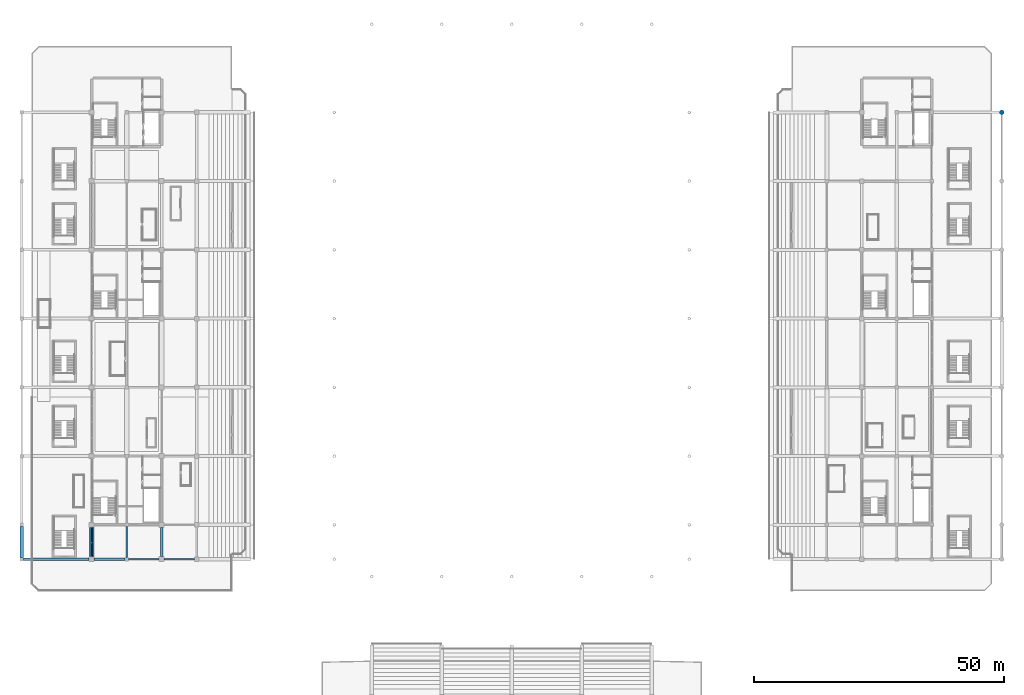
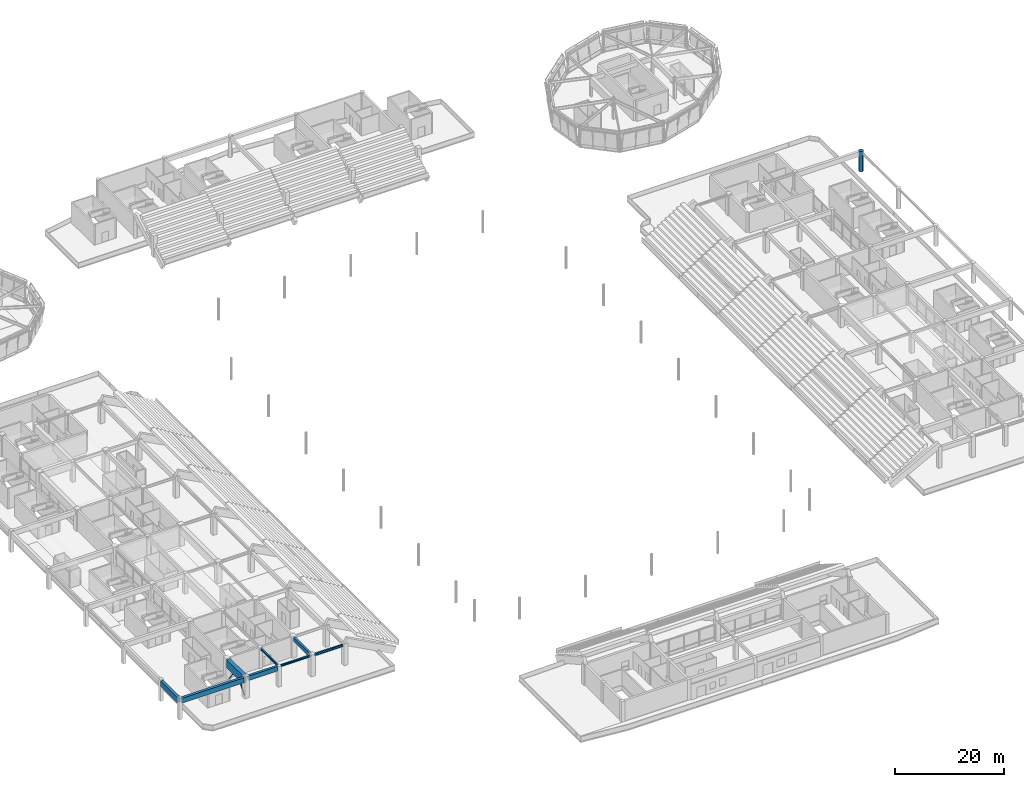
# One storey, part 15 of 94: 8 beams, 2 members, 1 column.
"""IFC4 building model written with IfcOpenShell, lengths in metres."""

from ifc_helpers import new_model, si_unit, direction, frame, origin, origin_2d, place, context, subcontext, project, spatial, rectangle, circle, hollow_circle, i_section, extrude, material, material_profile, profile_set, type_object, element, save


model = new_model("IFC4")

# Units and contexts
model_context = context("Model", 3, precision=1e-05, world=origin(), true_north=direction((0.0, 1.0)))
body_context = subcontext(model_context, "Body", "Model", "MODEL_VIEW")
ifc_project = project(units=[si_unit("LENGTHUNIT", "METRE"), si_unit("AREAUNIT", "SQUARE_METRE"), si_unit("VOLUMEUNIT", "CUBIC_METRE"), si_unit("PLANEANGLEUNIT", "RADIAN"), si_unit("MASSUNIT", "GRAM", prefix="KILO")], contexts=[model_context])

# Site, building, storey
site_placement = place(None, origin())
site = spatial("IfcSite", under=ifc_project, at=site_placement, CompositionType="ELEMENT")
building_placement = place(site_placement, origin())
building = spatial("IfcBuilding", under=site, at=building_placement, Name="Linyun Crest Stadium", CompositionType="ELEMENT")
storey_placement = place(building_placement, frame((0.0, 0.0, 16.199951171875)))
storey = spatial("IfcBuildingStorey", under=building, at=storey_placement, Name="L04", CompositionType="ELEMENT", Elevation=16.199951171875)

# Column
ifc_material_1 = material(Name="Concrete C50", Category="concrete")
ifc_material_profile_1 = material_profile(ifc_material_1, circle(Radius=0.449951171875, at=origin_2d()), Name="RC D900")
ifc_profile_set_1 = profile_set([ifc_material_profile_1], Name="Concrete C50")
column_type = type_object("IfcColumnType", Name="C08", PredefinedType="COLUMN", material=ifc_profile_set_1)
column_placement = place(storey_placement, frame((98.0, 43.375, 0.0), z_axis=(0.0, 0.0, 1.0), x_axis=(1.0, 0.0, 0.0)))
element("IfcColumn", 1, at=column_placement, inside=storey, type_object=column_type, Name="Column C08 L04 568", PredefinedType="COLUMN", context=body_context, shape_type="SweptSolid", body=[
    extrude(circle(Radius=0.449951171875, at=origin_2d()), origin(), (0.0, 0.0, 1.0), 4.56005859375),
])

# Beams
ifc_material_2 = material(Name="Concrete C40", Category="concrete")
ifc_material_profile_2 = material_profile(ifc_material_2, rectangle(XDim=0.449951171875, YDim=0.85009765625, at=origin_2d()), Name="RCB 850x450")
ifc_profile_set_2 = profile_set([ifc_material_profile_2], Name="Concrete C40")
beam_type_1 = type_object("IfcBeamType", Name="B04", PredefinedType="BEAM", material=ifc_profile_set_2)
beam_1_placement = place(storey_placement, frame((-70.0, -45.5, 4.175048828125), z_axis=(0.0, 1.0, 0.0), x_axis=(-1.0, 0.0, 0.0)))
element("IfcBeam", 2, at=beam_1_placement, inside=storey, type_object=beam_type_1, Name="Frame beam B04 L04 338", PredefinedType="BEAM", context=body_context, shape_type="SweptSolid", body=[
    extrude(rectangle(XDim=0.449951171875, YDim=0.85009765625, at=origin_2d()), origin(), (0.0, 0.0, 1.0), 5.875),
])
ifc_material_3 = material(Name="Concrete C40", Category="concrete")
ifc_material_profile_3 = material_profile(ifc_material_3, rectangle(XDim=0.5, YDim=1.0, at=origin_2d()), Name="RCB 1000x500")
ifc_profile_set_3 = profile_set([ifc_material_profile_3], Name="Concrete C40")
beam_type_2 = type_object("IfcBeamType", Name="B05", PredefinedType="BEAM", material=ifc_profile_set_3)
beam_2_placement = place(storey_placement, frame((-83.5, -46.0, 4.10009765625), z_axis=(1.0, 0.0, 0.0), x_axis=(0.0, 1.0, 0.0)))
element("IfcBeam", 3, at=beam_2_placement, inside=storey, type_object=beam_type_2, Name="Frame beam B05 L04 300", PredefinedType="BEAM", context=body_context, shape_type="SweptSolid", body=[
    extrude(rectangle(XDim=0.5, YDim=1.0, at=origin_2d()), origin(), (0.0, 0.0, 1.0), 6.14990234375),
])
ifc_material_4 = material(Name="Steel Q355C", Category="steel")
ifc_material_profile_4 = material_profile(ifc_material_4, i_section(OverallWidth=0.300048828125, OverallDepth=0.389892578125, WebThickness=0.010009765625, FlangeThickness=0.01611328125, at=origin_2d()), Name="HM 390x300")
ifc_profile_set_4 = profile_set([ifc_material_profile_4], Name="Steel Q355C")
beam_type_3 = type_object("IfcBeamType", Name="B06", PredefinedType="BEAM", material=ifc_profile_set_4)
beam_3_placement = place(storey_placement, frame((-76.64990234375, -46.0, 4.405029296875), z_axis=(1.0, 0.0, 0.0), x_axis=(0.0, 1.0, 0.0)))
element("IfcBeam", 4, at=beam_3_placement, inside=storey, type_object=beam_type_3, Name="Frame beam B06 L04 301", PredefinedType="BEAM", context=body_context, shape_type="SweptSolid", body=[
    extrude(i_section(OverallWidth=0.300048828125, OverallDepth=0.389892578125, WebThickness=0.010009765625, FlangeThickness=0.01611328125, at=origin_2d()), origin(), (0.0, 0.0, 1.0), 6.14990234375),
])
ifc_material_5 = material(Name="Steel Q355C", Category="steel")
ifc_material_profile_5 = material_profile(ifc_material_5, i_section(OverallWidth=0.300048828125, OverallDepth=0.43994140625, WebThickness=0.010986328125, FlangeThickness=0.01806640625, at=origin_2d()), Name="HM 440x300")
ifc_profile_set_5 = profile_set([ifc_material_profile_5], Name="Steel Q355C")
beam_type_4 = type_object("IfcBeamType", Name="B07", PredefinedType="BEAM", material=ifc_profile_set_5)
beam_4_placement = place(storey_placement, frame((-77.0, -45.64990234375, 4.380126953125), z_axis=(0.0, 1.0, 0.0), x_axis=(-1.0, 0.0, 0.0)))
element("IfcBeam", 5, at=beam_4_placement, inside=storey, type_object=beam_type_4, Name="Frame beam B07 L04 331", PredefinedType="BEAM", context=body_context, shape_type="SweptSolid", body=[
    extrude(i_section(OverallWidth=0.300048828125, OverallDepth=0.43994140625, WebThickness=0.010986328125, FlangeThickness=0.01806640625, at=origin_2d()), origin(), (0.0, 0.0, 1.0), 6.1748046875),
])
ifc_material_6 = material(Name="Steel Q355C", Category="steel")
ifc_material_profile_6 = material_profile(ifc_material_6, i_section(OverallWidth=0.300048828125, OverallDepth=0.488037109375, WebThickness=0.010986328125, FlangeThickness=0.01806640625, at=origin_2d()), Name="HM 488x300")
ifc_profile_set_6 = profile_set([ifc_material_profile_6], Name="Steel Q355C")
beam_type_5 = type_object("IfcBeamType", Name="B08", PredefinedType="BEAM", material=ifc_profile_set_6)
beam_5_placement = place(storey_placement, frame((-69.5, -46.0, 4.35595703125), z_axis=(1.0, 0.0, 0.0), x_axis=(0.0, 1.0, 0.0)))
element("IfcBeam", 6, at=beam_5_placement, inside=storey, type_object=beam_type_5, Name="Frame beam B08 L04 302", PredefinedType="BEAM", context=body_context, shape_type="SweptSolid", body=[
    extrude(i_section(OverallWidth=0.300048828125, OverallDepth=0.488037109375, WebThickness=0.010986328125, FlangeThickness=0.01806640625, at=origin_2d()), origin(), (0.0, 0.0, 1.0), 6.050048828125),
])
ifc_material_7 = material(Name="Concrete C50", Category="concrete")
ifc_material_profile_7 = material_profile(ifc_material_7, rectangle(XDim=0.800048828125, YDim=1.800048828125, at=origin_2d()), Name="RCB 1800x800")
ifc_profile_set_7 = profile_set([ifc_material_profile_7], Name="Concrete C50")
beam_type_6 = type_object("IfcBeamType", Name="B14", PredefinedType="BEAM", material=ifc_profile_set_7)
beam_6_placement = place(storey_placement, frame((-84.0, -45.5, 3.699951171875), z_axis=(0.0, 1.0, 0.0), x_axis=(-1.0, 0.0, 0.0)))
element("IfcBeam", 7, at=beam_6_placement, inside=storey, type_object=beam_type_6, Name="Frame beam B14 L04 327", PredefinedType="BEAM", context=body_context, shape_type="SweptSolid", body=[
    extrude(rectangle(XDim=0.800048828125, YDim=1.800048828125, at=origin_2d()), origin(), (0.0, 0.0, 1.0), 5.875),
])

# Members
ifc_material_8 = material(Name="Steel Q355C", Category="steel")
ifc_material_profile_8 = material_profile(ifc_material_8, hollow_circle(Radius=0.083984375, WallThickness=0.010009765625, at=origin_2d()), Name="CHS 168x10")
ifc_profile_set_8 = profile_set([ifc_material_profile_8], Name="Steel Q355C")
member_type = type_object("IfcMemberType", Name="BR01", PredefinedType="BRACE", material=ifc_profile_set_8)
member_1_placement = place(storey_placement, frame((-84.0, -45.5, 0.0), z_axis=(0.0, 0.593946544559, 0.804504507263), x_axis=(-1.0, 0.0, 0.0)))
element("IfcMember", 8, at=member_1_placement, inside=storey, type_object=member_type, Name="Frame brace BR01 L04 7", PredefinedType="BRACE", context=body_context, shape_type="SweptSolid", body=[
    extrude(hollow_circle(Radius=0.083984375, WallThickness=0.010009765625, at=origin_2d()), origin(), (0.0, 0.0, 1.0), 4.7109375),
])
member_2_placement = place(storey_placement, frame((-84.0, -39.625, 0.0), z_axis=(0.0, -0.593812353986, 0.804603559682), x_axis=(1.0, 0.0, 0.0)))
element("IfcMember", 9, at=member_2_placement, inside=storey, type_object=member_type, Name="Frame brace BR01 L04 8", PredefinedType="BRACE", context=body_context, shape_type="SweptSolid", body=[
    extrude(hollow_circle(Radius=0.083984375, WallThickness=0.010009765625, at=origin_2d()), origin(), (0.0, 0.0, 1.0), 4.71044921875),
])

# Beams
ifc_material_9 = material(Name="Concrete C50", Category="concrete")
ifc_material_profile_9 = material_profile(ifc_material_9, rectangle(XDim=0.550048828125, YDim=1.10009765625, at=origin_2d()), Name="RCB 1100x550")
ifc_profile_set_9 = profile_set([ifc_material_profile_9], Name="Concrete C50")
beam_type_7 = type_object("IfcBeamType", Name="TB01", PredefinedType="USERDEFINED", material=ifc_profile_set_9)
beam_7_placement = place(storey_placement, frame((-97.64990234375, -46.0, 4.050048828125), z_axis=(1.0, 0.0, 0.0), x_axis=(0.0, 1.0, 0.0)))
element("IfcBeam", 10, at=beam_7_placement, inside=storey, type_object=beam_type_7, Name="Frame beam TB01 L04 299", ObjectType="GIRDER", PredefinedType="USERDEFINED", context=body_context, shape_type="SweptSolid", body=[
    extrude(rectangle(XDim=0.550048828125, YDim=1.10009765625, at=origin_2d()), origin(), (0.0, 0.0, 1.0), 13.14990234375),
])
ifc_material_10 = material(Name="Concrete C50", Category="concrete")
ifc_material_profile_10 = material_profile(ifc_material_10, rectangle(XDim=0.60009765625, YDim=1.199951171875, at=origin_2d()), Name="RCB 1200x600")
ifc_profile_set_10 = profile_set([ifc_material_profile_10], Name="Concrete C50")
beam_type_8 = type_object("IfcBeamType", Name="TB02", PredefinedType="USERDEFINED", material=ifc_profile_set_10)
beam_8_placement = place(storey_placement, frame((-98.0, -45.64990234375, 4.0), z_axis=(0.0, 1.0, 0.0), x_axis=(-1.0, 0.0, 0.0)))
element("IfcBeam", 11, at=beam_8_placement, inside=storey, type_object=beam_type_8, Name="Frame beam TB02 L04 320", ObjectType="GIRDER", PredefinedType="USERDEFINED", context=body_context, shape_type="SweptSolid", body=[
    extrude(rectangle(XDim=0.60009765625, YDim=1.199951171875, at=origin_2d()), origin(), (0.0, 0.0, 1.0), 6.1748046875),
])

save(model, "model.ifc")
